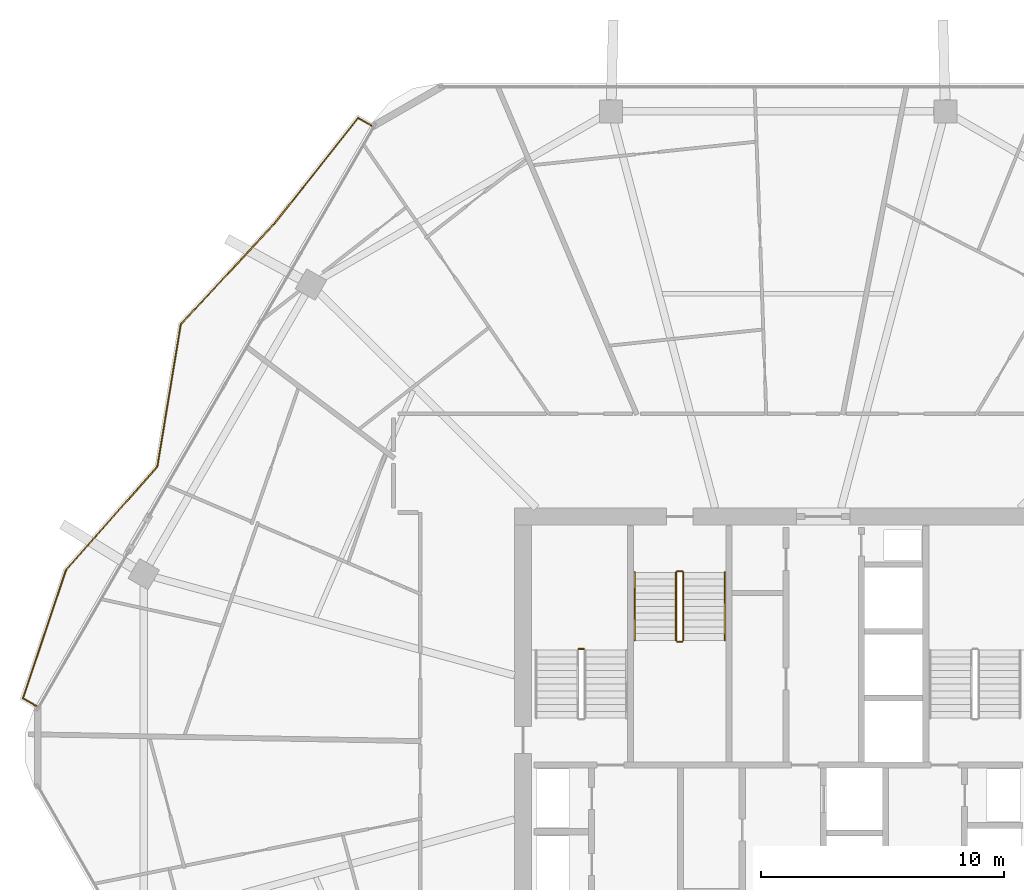
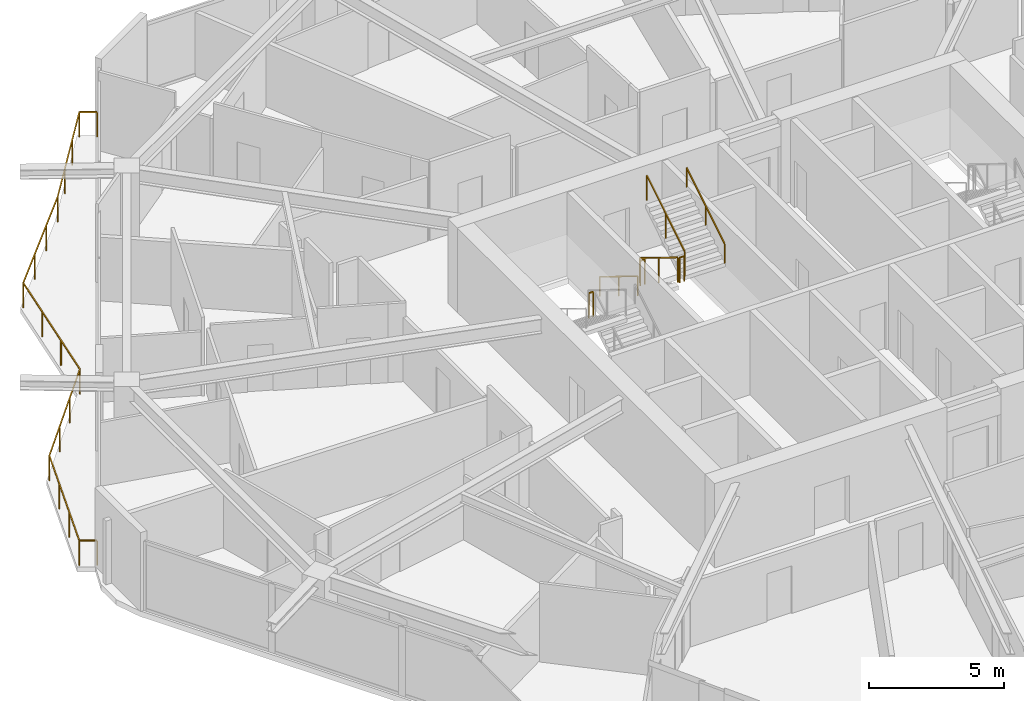
# One storey, part 25 of 26: 8 railings.
"""IFC4 building model written with IfcOpenShell, lengths in metres."""

from ifc_helpers import new_model, si_unit, direction, frame, origin, origin_2d, place, context, subcontext, project, spatial, rectangle, extrude, material, type_object, element, save


model = new_model("IFC4")

# Units and contexts
model_context = context("Model", 3, precision=1e-05, world=origin(), true_north=direction((0.0, 1.0)))
body_context = subcontext(model_context, "Body", "Model", "MODEL_VIEW")
ifc_project = project(units=[si_unit("LENGTHUNIT", "METRE"), si_unit("AREAUNIT", "SQUARE_METRE"), si_unit("VOLUMEUNIT", "CUBIC_METRE"), si_unit("PLANEANGLEUNIT", "RADIAN"), si_unit("MASSUNIT", "GRAM", prefix="KILO")], contexts=[model_context])

# Site, building, storey
site_placement = place(None, origin())
site = spatial("IfcSite", under=ifc_project, at=site_placement, CompositionType="ELEMENT")
building_placement = place(site_placement, origin())
building = spatial("IfcBuilding", under=site, at=building_placement, Name="Zuhravey Tower", CompositionType="ELEMENT")
storey_placement = place(building_placement, frame((0.0, 0.0, 211.199951171875)))
storey = spatial("IfcBuildingStorey", under=building, at=storey_placement, Name="L53", CompositionType="ELEMENT", Elevation=211.199951171875)

# Railings
ifc_material_1 = material(Name="Stainless steel 316 and laminated glass", Category="steel")
railing_type_1 = type_object("IfcRailingType", Name="Balcony & Terrace Guardrail 1150", PredefinedType="BALUSTRADE", material=ifc_material_1)
railing_1_placement = place(storey_placement, frame((5.489990234375, 33.691650390625, 0.0)))
element("IfcRailing", 1, at=railing_1_placement, inside=storey, type_object=railing_type_1, Name="L53 Face 3 Wave Balcony Guardrail GR1", PredefinedType="BALUSTRADE", context=body_context, shape_type="SweptSolid", body=[
    extrude(rectangle(XDim=0.048095703125, YDim=0.048095703125, at=origin_2d()), frame((-0.001708984375, 0.0009765625, 1.1259765625), z_axis=(-0.865950774653, 0.500129239174, 0.0), x_axis=(-0.500129239174, -0.865950774653, 0.0)), (0.0, 0.0, 1.0), 0.654052734375),
    extrude(rectangle(XDim=0.048095703125, YDim=0.048095703125, at=origin_2d()), frame((-0.569091796875, 0.3310546875, 1.1259765625), z_axis=(0.318384894849, 0.947961528086, 0.0), x_axis=(-0.947961528086, 0.318384894849, 0.0)), (0.0, 0.0, 1.0), 5.562255859375),
    extrude(rectangle(XDim=0.048095703125, YDim=0.048095703125, at=origin_2d()), frame((1.20361328125, 5.607177734375, 1.1259765625), z_axis=(0.662043929434, 0.749465032873, 0.0), x_axis=(-0.749465032873, 0.662043929434, 0.0)), (0.0, 0.0, 1.0), 5.673583984375),
    extrude(rectangle(XDim=0.048095703125, YDim=0.048095703125, at=origin_2d()), frame((4.96142578125, 9.86279296875, 1.1259765625), z_axis=(0.16285124071, 0.986650633912, 0.0), x_axis=(-0.986650633912, 0.16285124071, 0.0)), (0.0, 0.0, 1.0), 5.93115234375),
    extrude(rectangle(XDim=0.048095703125, YDim=0.048095703125, at=origin_2d()), frame((5.92919921875, 15.71826171875, 1.1259765625), z_axis=(0.680908118019, 0.732368851615, 0.0), x_axis=(-0.732368851615, 0.680908118019, 0.0)), (0.0, 0.0, 1.0), 5.670166015625),
    extrude(rectangle(XDim=0.048095703125, YDim=0.048095703125, at=origin_2d()), frame((9.79248046875, 19.873779296875, 1.1259765625), z_axis=(0.620429402916, 0.784262300507, 0.0), x_axis=(-0.784262300507, 0.620429402916, 0.0)), (0.0, 0.0, 1.0), 5.529052734375),
    extrude(rectangle(XDim=0.048095703125, YDim=0.048095703125, at=origin_2d()), frame((13.225830078125, 24.210693359375, 1.1259765625), z_axis=(0.865911816314, -0.500196687681, 0.0), x_axis=(0.500196687681, 0.865911816314, 0.0)), (0.0, 0.0, 1.0), 0.649658203125),
    extrude(rectangle(XDim=0.0419921875, YDim=0.0419921875, at=origin_2d()), origin(), (0.0, 0.0, 1.0), 1.099853515625),
    extrude(rectangle(XDim=0.0419921875, YDim=0.0419921875, at=origin_2d()), frame((-0.56982421875, 0.3291015625, 0.0)), (0.0, 0.0, 1.0), 1.099853515625),
    extrude(rectangle(XDim=0.0419921875, YDim=0.0419921875, at=origin_2d()), frame((0.02099609375, 2.087890625, 0.0)), (0.0, 0.0, 1.0), 1.099853515625),
    extrude(rectangle(XDim=0.0419921875, YDim=0.0419921875, at=origin_2d()), frame((0.611572265625, 3.846923828125, 0.0)), (0.0, 0.0, 1.0), 1.099853515625),
    extrude(rectangle(XDim=0.0419921875, YDim=0.0419921875, at=origin_2d()), frame((1.202392578125, 5.605712890625, 0.0)), (0.0, 0.0, 1.0), 1.099853515625),
    extrude(rectangle(XDim=0.0419921875, YDim=0.0419921875, at=origin_2d()), frame((2.455322265625, 7.024169921875, 0.0)), (0.0, 0.0, 1.0), 1.099853515625),
    extrude(rectangle(XDim=0.0419921875, YDim=0.0419921875, at=origin_2d()), frame((3.708251953125, 8.4423828125, 0.0)), (0.0, 0.0, 1.0), 1.099853515625),
    extrude(rectangle(XDim=0.0419921875, YDim=0.0419921875, at=origin_2d()), frame((4.961181640625, 9.86083984375, 0.0)), (0.0, 0.0, 1.0), 1.099853515625),
    extrude(rectangle(XDim=0.0419921875, YDim=0.0419921875, at=origin_2d()), frame((5.283447265625, 11.812744140625, 0.0)), (0.0, 0.0, 1.0), 1.099853515625),
    extrude(rectangle(XDim=0.0419921875, YDim=0.0419921875, at=origin_2d()), frame((5.60546875, 13.764892578125, 0.0)), (0.0, 0.0, 1.0), 1.099853515625),
    extrude(rectangle(XDim=0.0419921875, YDim=0.0419921875, at=origin_2d()), frame((5.927734375, 15.716796875, 0.0)), (0.0, 0.0, 1.0), 1.099853515625),
    extrude(rectangle(XDim=0.0419921875, YDim=0.0419921875, at=origin_2d()), frame((7.215576171875, 17.10205078125, 0.0)), (0.0, 0.0, 1.0), 1.099853515625),
    extrude(rectangle(XDim=0.0419921875, YDim=0.0419921875, at=origin_2d()), frame((8.50341796875, 18.487060546875, 0.0)), (0.0, 0.0, 1.0), 1.099853515625),
    extrude(rectangle(XDim=0.0419921875, YDim=0.0419921875, at=origin_2d()), frame((9.791259765625, 19.872314453125, 0.0)), (0.0, 0.0, 1.0), 1.099853515625),
    extrude(rectangle(XDim=0.0419921875, YDim=0.0419921875, at=origin_2d()), frame((10.935546875, 21.31884765625, 0.0)), (0.0, 0.0, 1.0), 1.099853515625),
    extrude(rectangle(XDim=0.0419921875, YDim=0.0419921875, at=origin_2d()), frame((12.079833984375, 22.76513671875, 0.0)), (0.0, 0.0, 1.0), 1.099853515625),
    extrude(rectangle(XDim=0.0419921875, YDim=0.0419921875, at=origin_2d()), frame((13.22412109375, 24.211669921875, 0.0)), (0.0, 0.0, 1.0), 1.099853515625),
    extrude(rectangle(XDim=0.0419921875, YDim=0.0419921875, at=origin_2d()), frame((13.7900390625, 23.884765625, 0.0)), (0.0, 0.0, 1.0), 1.099853515625),
])
ifc_material_2 = material(Name="Brushed stainless steel", Category="steel")
railing_type_2 = type_object("IfcRailingType", Name="Stair Wall Handrail 900", PredefinedType="HANDRAIL", material=ifc_material_2)
railing_2_placement = place(storey_placement, frame((30.10009765625, 39.199951171875, 0.1728515625)))
element("IfcRailing", 2, at=railing_2_placement, inside=storey, type_object=railing_type_2, Name="L53 ST3 stair handrail 1", PredefinedType="HANDRAIL", context=body_context, shape_type="SweptSolid", body=[
    extrude(rectangle(XDim=0.048095703125, YDim=0.048095703125, at=origin_2d()), frame((0.0, -0.001708984375, 0.876953125), z_axis=(0.0, -0.851089632645, 0.525020415988), x_axis=(1.0, 0.0, 0.0)), (0.0, 0.0, 1.0), 3.285888671875),
    extrude(rectangle(XDim=0.0419921875, YDim=0.0419921875, at=origin_2d()), origin(), (0.0, 0.0, 1.0), 0.849853515625),
    extrude(rectangle(XDim=0.0419921875, YDim=0.0419921875, at=origin_2d()), frame((0.0, -1.39990234375, 0.86376953125)), (0.0, 0.0, 1.0), 0.849853515625),
    extrude(rectangle(XDim=0.0419921875, YDim=0.0419921875, at=origin_2d()), frame((0.0, -2.800048828125, 1.727294921875)), (0.0, 0.0, 1.0), 0.849853515625),
])
railing_3_placement = place(storey_placement, frame((33.800048828125, 36.39990234375, 2.07275390625)))
element("IfcRailing", 3, at=railing_3_placement, inside=storey, type_object=railing_type_2, Name="L53 ST3 stair handrail 2", PredefinedType="HANDRAIL", context=body_context, shape_type="SweptSolid", body=[
    extrude(rectangle(XDim=0.048095703125, YDim=0.048095703125, at=origin_2d()), frame((0.0, 0.001708984375, 0.876953125), z_axis=(0.0, 0.851089632645, 0.525020415988), x_axis=(-1.0, 0.0, 0.0)), (0.0, 0.0, 1.0), 3.285888671875),
    extrude(rectangle(XDim=0.0419921875, YDim=0.0419921875, at=origin_2d()), origin(), (0.0, 0.0, 1.0), 0.849853515625),
    extrude(rectangle(XDim=0.0419921875, YDim=0.0419921875, at=origin_2d()), frame((0.0, 1.39990234375, 0.86376953125)), (0.0, 0.0, 1.0), 0.849853515625),
    extrude(rectangle(XDim=0.0419921875, YDim=0.0419921875, at=origin_2d()), frame((0.0, 2.800048828125, 1.727294921875)), (0.0, 0.0, 1.0), 0.849853515625),
])
ifc_material_3 = material(Name="Painted tubular steel", Category="steel")
railing_type_3 = type_object("IfcRailingType", Name="Stair Well Guardrail 1150", PredefinedType="GUARDRAIL", material=ifc_material_3)
railing_4_placement = place(storey_placement, frame((28.0, 36.050048828125, 1.900146484375)))
element("IfcRailing", 4, at=railing_4_placement, inside=storey, type_object=railing_type_3, Name="L53 ST1 stair guard 2", PredefinedType="GUARDRAIL", context=body_context, shape_type="SweptSolid", body=[
    extrude(rectangle(XDim=0.048095703125, YDim=0.048095703125, at=origin_2d()), frame((-0.001953125, 0.0, 1.1259765625), z_axis=(-1.0, 0.0, 0.0), x_axis=(0.0, -1.0, 0.0)), (0.0, 0.0, 1.0), 0.196044921875),
    extrude(rectangle(XDim=0.0419921875, YDim=0.0419921875, at=origin_2d()), origin(), (0.0, 0.0, 1.0), 1.099853515625),
    extrude(rectangle(XDim=0.0419921875, YDim=0.0419921875, at=origin_2d()), frame((-0.199951171875, 0.0, 0.0)), (0.0, 0.0, 1.0), 1.099853515625),
])
railing_5_placement = place(storey_placement, frame((31.800048828125, 39.199951171875, 0.1728515625)))
element("IfcRailing", 5, at=railing_5_placement, inside=storey, type_object=railing_type_3, Name="L53 ST3 stair guard 1", PredefinedType="GUARDRAIL", context=body_context, shape_type="SweptSolid", body=[
    extrude(rectangle(XDim=0.048095703125, YDim=0.048095703125, at=origin_2d()), frame((0.0, -0.001708984375, 1.126953125), z_axis=(0.0, -0.851089632645, 0.525020415988), x_axis=(1.0, 0.0, 0.0)), (0.0, 0.0, 1.0), 3.285888671875),
    extrude(rectangle(XDim=0.0419921875, YDim=0.0419921875, at=origin_2d()), origin(), (0.0, 0.0, 1.0), 1.099853515625),
    extrude(rectangle(XDim=0.0419921875, YDim=0.0419921875, at=origin_2d()), frame((0.0, -1.39990234375, 0.86376953125)), (0.0, 0.0, 1.0), 1.099853515625),
    extrude(rectangle(XDim=0.0419921875, YDim=0.0419921875, at=origin_2d()), frame((0.0, -2.800048828125, 1.727294921875)), (0.0, 0.0, 1.0), 1.099853515625),
])
railing_6_placement = place(storey_placement, frame((31.85009765625, 36.35009765625, 1.900146484375)))
element("IfcRailing", 6, at=railing_6_placement, inside=storey, type_object=railing_type_3, Name="L53 ST3 stair guard 2", PredefinedType="GUARDRAIL", context=body_context, shape_type="SweptSolid", body=[
    extrude(rectangle(XDim=0.048095703125, YDim=0.048095703125, at=origin_2d()), frame((0.001953125, 0.0, 1.1259765625), z_axis=(1.0, 0.0, 0.0), x_axis=(0.0, 1.0, 0.0)), (0.0, 0.0, 1.0), 0.196044921875),
    extrude(rectangle(XDim=0.0419921875, YDim=0.0419921875, at=origin_2d()), origin(), (0.0, 0.0, 1.0), 1.099853515625),
    extrude(rectangle(XDim=0.0419921875, YDim=0.0419921875, at=origin_2d()), frame((0.199951171875, 0.0, 0.0)), (0.0, 0.0, 1.0), 1.099853515625),
])
railing_7_placement = place(storey_placement, frame((32.10009765625, 36.39990234375, 2.07275390625)))
element("IfcRailing", 7, at=railing_7_placement, inside=storey, type_object=railing_type_3, Name="L53 ST3 stair guard 3", PredefinedType="GUARDRAIL", context=body_context, shape_type="SweptSolid", body=[
    extrude(rectangle(XDim=0.048095703125, YDim=0.048095703125, at=origin_2d()), frame((0.0, 0.001708984375, 1.126953125), z_axis=(0.0, 0.851089632645, 0.525020415988), x_axis=(-1.0, 0.0, 0.0)), (0.0, 0.0, 1.0), 3.285888671875),
    extrude(rectangle(XDim=0.0419921875, YDim=0.0419921875, at=origin_2d()), origin(), (0.0, 0.0, 1.0), 1.099853515625),
    extrude(rectangle(XDim=0.0419921875, YDim=0.0419921875, at=origin_2d()), frame((0.0, 1.39990234375, 0.86376953125)), (0.0, 0.0, 1.0), 1.099853515625),
    extrude(rectangle(XDim=0.0419921875, YDim=0.0419921875, at=origin_2d()), frame((0.0, 2.800048828125, 1.727294921875)), (0.0, 0.0, 1.0), 1.099853515625),
])
railing_8_placement = place(storey_placement, frame((31.85009765625, 39.25, 0.0)))
element("IfcRailing", 8, at=railing_8_placement, inside=storey, type_object=railing_type_3, Name="L53 ST3 stair guard 4", PredefinedType="GUARDRAIL", context=body_context, shape_type="SweptSolid", body=[
    extrude(rectangle(XDim=0.048095703125, YDim=0.048095703125, at=origin_2d()), frame((0.001953125, 0.0, 1.1259765625), z_axis=(1.0, 0.0, 0.0), x_axis=(0.0, 1.0, 0.0)), (0.0, 0.0, 1.0), 0.196044921875),
    extrude(rectangle(XDim=0.0419921875, YDim=0.0419921875, at=origin_2d()), origin(), (0.0, 0.0, 1.0), 1.099853515625),
    extrude(rectangle(XDim=0.0419921875, YDim=0.0419921875, at=origin_2d()), frame((0.199951171875, 0.0, 0.0)), (0.0, 0.0, 1.0), 1.099853515625),
])

save(model, "model.ifc")
